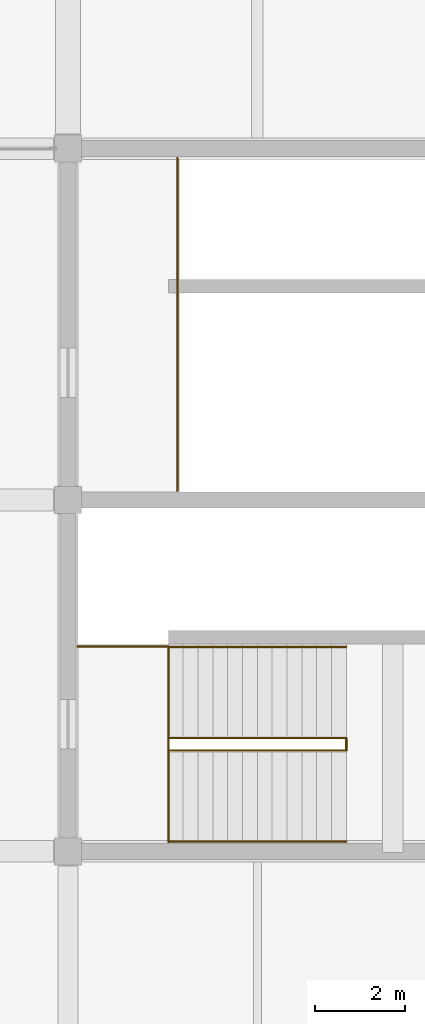
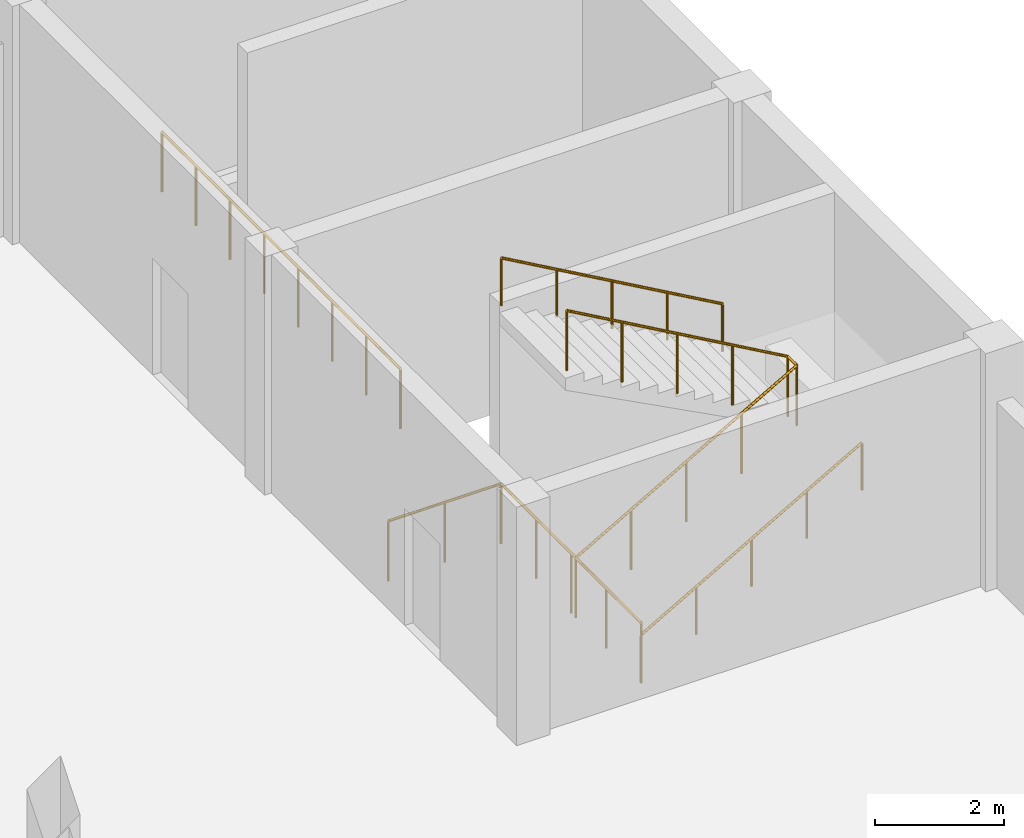
# One storey, part 69 of 71: 5 railings.
"""IFC4 building model written with IfcOpenShell, lengths in metres."""

from ifc_helpers import new_model, si_unit, direction, frame, origin, origin_2d, place, context, subcontext, project, spatial, circle, extrude, material, type_object, element, save


model = new_model("IFC4")

# Units and contexts
model_context = context("Model", 3, precision=1e-05, world=origin(), true_north=direction((0.0, 1.0)))
body_context = subcontext(model_context, "Body", "Model", "MODEL_VIEW")
ifc_project = project(units=[si_unit("LENGTHUNIT", "METRE"), si_unit("AREAUNIT", "SQUARE_METRE"), si_unit("VOLUMEUNIT", "CUBIC_METRE"), si_unit("PLANEANGLEUNIT", "RADIAN"), si_unit("MASSUNIT", "GRAM", prefix="KILO")], contexts=[model_context])

# Site, building, storey
site_placement = place(None, origin())
site = spatial("IfcSite", under=ifc_project, at=site_placement, CompositionType="ELEMENT")
building_placement = place(site_placement, origin())
building = spatial("IfcBuilding", under=site, at=building_placement, Name="Pellamere Symphony Hall", CompositionType="ELEMENT")
storey_placement = place(building_placement, frame((0.0, 0.0, 15.0)))
storey = spatial("IfcBuildingStorey", under=building, at=storey_placement, Name="L03", CompositionType="ELEMENT", Elevation=15.0)

# Railings
ifc_material_1 = material(Name="Painted Steel CSA G40.21 350W", Category="steel")
railing_type_1 = type_object("IfcRailingType", Name="Guardrail GR-02 H1150 Painted", PredefinedType="GUARDRAIL", material=ifc_material_1)
railing_1_placement = place(storey_placement, frame((166.625, 71.840087890625, 0.0)))
element("IfcRailing", 1, at=railing_1_placement, inside=storey, type_object=railing_type_1, Name="Stair ST05-L03 Continuous Well Guardrail (L03)", PredefinedType="GUARDRAIL", context=body_context, shape_type="SweptSolid", body=[
    extrude(circle(Radius=0.02392578125, at=origin_2d()), frame((0.0, 0.0, 1.1259765625), z_axis=(0.868916562865, 0.0, 0.494958590974), x_axis=(0.0, 1.0, 0.0)), (0.0, 0.0, 1.0), 4.5458984375),
    extrude(circle(Radius=0.02392578125, at=origin_2d()), frame((3.949951171875, 0.0, 3.3759765625), z_axis=(0.0, 1.0, 0.0), x_axis=(-1.0, 0.0, 0.0)), (0.0, 0.0, 1.0), 0.280029296875),
    extrude(circle(Radius=0.02392578125, at=origin_2d()), frame((3.949951171875, 0.280029296875, 3.3759765625), z_axis=(-0.868916562865, 0.0, 0.494958590974), x_axis=(0.0, -1.0, 0.0)), (0.0, 0.0, 1.0), 4.5458984375),
    extrude(circle(Radius=0.02099609375, at=origin_2d()), origin(), (0.0, 0.0, 1.0), 1.101806640625),
    extrude(circle(Radius=0.02099609375, at=origin_2d()), frame((0.987548828125, 0.0, 0.5625)), (0.0, 0.0, 1.0), 1.101806640625),
    extrude(circle(Radius=0.02099609375, at=origin_2d()), frame((1.97509765625, 0.0, 1.125)), (0.0, 0.0, 1.0), 1.101806640625),
    extrude(circle(Radius=0.02099609375, at=origin_2d()), frame((2.96240234375, 0.0, 1.6875)), (0.0, 0.0, 1.0), 1.101806640625),
    extrude(circle(Radius=0.02099609375, at=origin_2d()), frame((3.949951171875, 0.0, 2.25)), (0.0, 0.0, 1.0), 1.101806640625),
    extrude(circle(Radius=0.02099609375, at=origin_2d()), frame((3.949951171875, 0.280029296875, 2.25)), (0.0, 0.0, 1.0), 1.101806640625),
    extrude(circle(Radius=0.02099609375, at=origin_2d()), frame((2.96240234375, 0.280029296875, 2.8125)), (0.0, 0.0, 1.0), 1.101806640625),
    extrude(circle(Radius=0.02099609375, at=origin_2d()), frame((1.97509765625, 0.280029296875, 3.375)), (0.0, 0.0, 1.0), 1.101806640625),
    extrude(circle(Radius=0.02099609375, at=origin_2d()), frame((0.987548828125, 0.280029296875, 3.9375)), (0.0, 0.0, 1.0), 1.101806640625),
    extrude(circle(Radius=0.02099609375, at=origin_2d()), frame((0.0, 0.280029296875, 4.5)), (0.0, 0.0, 1.0), 1.101806640625),
])
railing_2_placement = place(storey_placement, frame((166.625, 69.81005859375, 0.0)))
element("IfcRailing", 2, at=railing_2_placement, inside=storey, type_object=railing_type_1, Name="Stair ST05-L03 Landing Well Slot Guard (L03)", PredefinedType="GUARDRAIL", context=body_context, shape_type="SweptSolid", body=[
    extrude(circle(Radius=0.02392578125, at=origin_2d()), frame((0.0, 0.0, 1.1259765625), z_axis=(0.0, 1.0, 0.0), x_axis=(-1.0, 0.0, 0.0)), (0.0, 0.0, 1.0), 4.33984375),
    extrude(circle(Radius=0.02392578125, at=origin_2d()), frame((0.0, 4.33984375, 1.1259765625), z_axis=(-1.0, 0.0, 0.0), x_axis=(0.0, -1.0, 0.0)), (0.0, 0.0, 1.0), 2.014892578125),
    extrude(circle(Radius=0.02099609375, at=origin_2d()), origin(), (0.0, 0.0, 1.0), 1.101806640625),
    extrude(circle(Radius=0.02099609375, at=origin_2d()), frame((0.0, 1.0849609375, 0.0)), (0.0, 0.0, 1.0), 1.101806640625),
    extrude(circle(Radius=0.02099609375, at=origin_2d()), frame((0.0, 2.169921875, 0.0)), (0.0, 0.0, 1.0), 1.101806640625),
    extrude(circle(Radius=0.02099609375, at=origin_2d()), frame((0.0, 3.2548828125, 0.0)), (0.0, 0.0, 1.0), 1.101806640625),
    extrude(circle(Radius=0.02099609375, at=origin_2d()), frame((0.0, 4.33984375, 0.0)), (0.0, 0.0, 1.0), 1.101806640625),
    extrude(circle(Radius=0.02099609375, at=origin_2d()), frame((-1.00732421875, 4.33984375, 0.0)), (0.0, 0.0, 1.0), 1.101806640625),
    extrude(circle(Radius=0.02099609375, at=origin_2d()), frame((-2.014892578125, 4.33984375, 0.0)), (0.0, 0.0, 1.0), 1.101806640625),
])
railing_3_placement = place(storey_placement, frame((166.824951171875, 77.610107421875, 0.0)))
element("IfcRailing", 3, at=railing_3_placement, inside=storey, type_object=railing_type_1, Name="Stair ST14-L02 Top Landing Well Guard (L03)", PredefinedType="GUARDRAIL", context=body_context, shape_type="SweptSolid", body=[
    extrude(circle(Radius=0.02392578125, at=origin_2d()), frame((0.0, 0.0, 1.1259765625), z_axis=(0.0, 1.0, 0.0), x_axis=(-1.0, 0.0, 0.0)), (0.0, 0.0, 1.0), 7.3798828125),
    extrude(circle(Radius=0.02099609375, at=origin_2d()), origin(), (0.0, 0.0, 1.0), 1.101806640625),
    extrude(circle(Radius=0.02099609375, at=origin_2d()), frame((0.0, 1.05419921875, 0.0)), (0.0, 0.0, 1.0), 1.101806640625),
    extrude(circle(Radius=0.02099609375, at=origin_2d()), frame((0.0, 2.108642578125, 0.0)), (0.0, 0.0, 1.0), 1.101806640625),
    extrude(circle(Radius=0.02099609375, at=origin_2d()), frame((0.0, 3.162841796875, 0.0)), (0.0, 0.0, 1.0), 1.101806640625),
    extrude(circle(Radius=0.02099609375, at=origin_2d()), frame((0.0, 4.217041015625, 0.0)), (0.0, 0.0, 1.0), 1.101806640625),
    extrude(circle(Radius=0.02099609375, at=origin_2d()), frame((0.0, 5.271240234375, 0.0)), (0.0, 0.0, 1.0), 1.101806640625),
    extrude(circle(Radius=0.02099609375, at=origin_2d()), frame((0.0, 6.32568359375, 0.0)), (0.0, 0.0, 1.0), 1.101806640625),
    extrude(circle(Radius=0.02099609375, at=origin_2d()), frame((0.0, 7.3798828125, 0.0)), (0.0, 0.0, 1.0), 1.101806640625),
])
ifc_material_2 = material(Name="Stainless Steel AISI 316", Category="steel")
railing_type_2 = type_object("IfcRailingType", Name="Handrail HR-01 H920 Stainless", PredefinedType="HANDRAIL", material=ifc_material_2)
railing_4_placement = place(storey_placement, frame((166.625, 69.820068359375, 0.0)))
element("IfcRailing", 4, at=railing_4_placement, inside=storey, type_object=railing_type_2, Name="Stair ST05-L03 Lower Wall Handrail (L03)", PredefinedType="HANDRAIL", context=body_context, shape_type="SweptSolid", body=[
    extrude(circle(Radius=0.02392578125, at=origin_2d()), frame((0.0, 0.0, 0.89599609375), z_axis=(0.868916562865, 0.0, 0.494958590974), x_axis=(0.0, 1.0, 0.0)), (0.0, 0.0, 1.0), 4.5458984375),
    extrude(circle(Radius=0.02099609375, at=origin_2d()), origin(), (0.0, 0.0, 1.0), 0.871826171875),
    extrude(circle(Radius=0.02099609375, at=origin_2d()), frame((0.987548828125, 0.0, 0.5625)), (0.0, 0.0, 1.0), 0.871826171875),
    extrude(circle(Radius=0.02099609375, at=origin_2d()), frame((1.97509765625, 0.0, 1.125)), (0.0, 0.0, 1.0), 0.871826171875),
    extrude(circle(Radius=0.02099609375, at=origin_2d()), frame((2.96240234375, 0.0, 1.6875)), (0.0, 0.0, 1.0), 0.871826171875),
    extrude(circle(Radius=0.02099609375, at=origin_2d()), frame((3.949951171875, 0.0, 2.25)), (0.0, 0.0, 1.0), 0.871826171875),
])
railing_5_placement = place(storey_placement, frame((170.574951171875, 74.139892578125, 2.25)))
element("IfcRailing", 5, at=railing_5_placement, inside=storey, type_object=railing_type_2, Name="Stair ST05-L03 Upper Wall Handrail (L03)", PredefinedType="HANDRAIL", context=body_context, shape_type="SweptSolid", body=[
    extrude(circle(Radius=0.02392578125, at=origin_2d()), frame((0.0, 0.0, 0.89599609375), z_axis=(-0.868916562865, 0.0, 0.494958590974), x_axis=(0.0, -1.0, 0.0)), (0.0, 0.0, 1.0), 4.5458984375),
    extrude(circle(Radius=0.02099609375, at=origin_2d()), origin(), (0.0, 0.0, 1.0), 0.871826171875),
    extrude(circle(Radius=0.02099609375, at=origin_2d()), frame((-0.987548828125, 0.0, 0.5625)), (0.0, 0.0, 1.0), 0.871826171875),
    extrude(circle(Radius=0.02099609375, at=origin_2d()), frame((-1.97509765625, 0.0, 1.125)), (0.0, 0.0, 1.0), 0.871826171875),
    extrude(circle(Radius=0.02099609375, at=origin_2d()), frame((-2.96240234375, 0.0, 1.6875)), (0.0, 0.0, 1.0), 0.871826171875),
    extrude(circle(Radius=0.02099609375, at=origin_2d()), frame((-3.949951171875, 0.0, 2.25)), (0.0, 0.0, 1.0), 0.871826171875),
])

save(model, "model.ifc")
